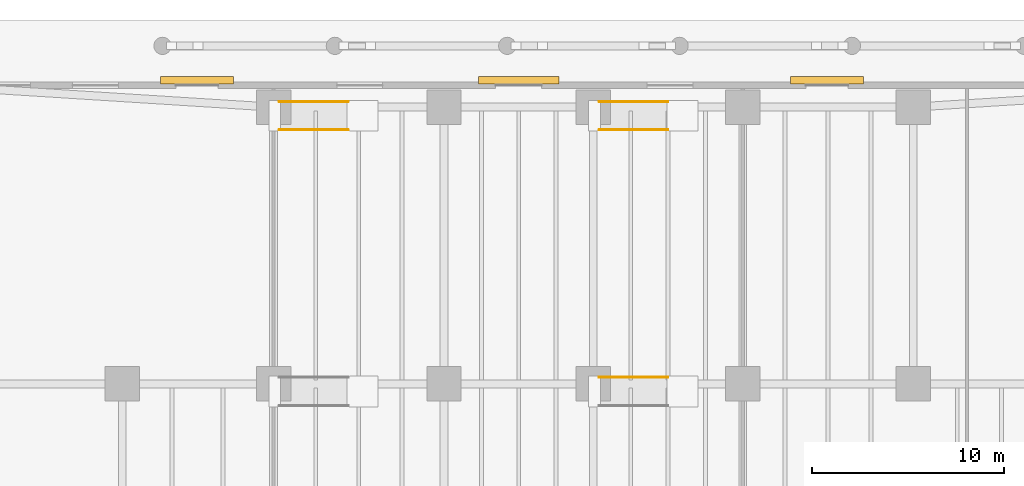
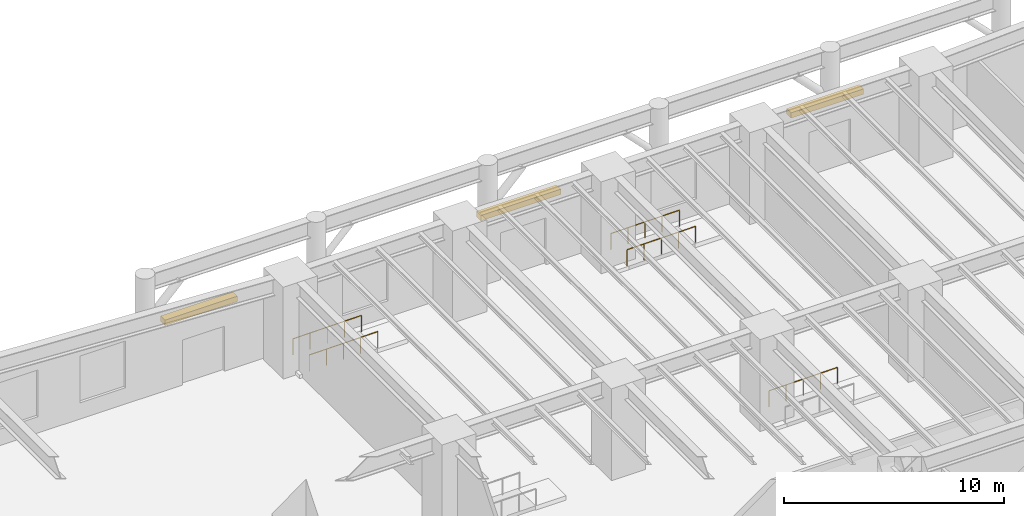
# One storey, part 18 of 19: 5 railings, 3 shading devices.
"""IFC4 building model written with IfcOpenShell, lengths in metres."""

import ifcopenshell
import ifcopenshell.guid

model = None  # the IFC model being written
_history = None  # IfcOwnerHistory: only IFC2X3 demands one
_inside = {}  # id of a spatial element -> (the spatial element, [elements in it])
_under = {}  # id of a project, library or spatial element -> (it, [spatial elements below it])
_declared = {}  # id of a project -> (the project, [libraries it declares])
_typed = {}  # id of a type object -> (the type object, [elements of that type])
_made_of = {}  # id of a material, layer set ... -> (it, [elements and type objects made of it])


def new_model(schema):
    """Start an empty IFC model of exactly this schema.

    Asked for "IFC4X3", IfcOpenShell would pick the latest addendum, in which some entities
    have other attributes; the version numbers below select the first issue.
    IFC2X3 requires an IfcOwnerHistory on every rooted entity: one is made here for all.
    """
    global model, _history
    if schema == "IFC4X3":
        model = ifcopenshell.file(schema_version=(4, 3, 0, 0))
    else:
        model = ifcopenshell.file(schema=schema)
    _inside.clear()
    _under.clear()
    _declared.clear()
    _typed.clear()
    _made_of.clear()
    _history = None
    if model.schema == "IFC2X3":
        org = make("IfcOrganization", Name="unknown")
        user = make(
            "IfcPersonAndOrganization",
            ThePerson=make("IfcPerson", FamilyName="unknown"),
            TheOrganization=org,
        )
        app = make(
            "IfcApplication",
            ApplicationDeveloper=org,
            Version="unknown",
            ApplicationFullName="unknown",
            ApplicationIdentifier="unknown",
        )
        _history = make(
            "IfcOwnerHistory",
            OwningUser=user,
            OwningApplication=app,
            ChangeAction="ADDED",
            CreationDate=0,
        )
    return model


def make(cls, **values):
    """One entity of the class cls with the attributes given. An attribute that is None is left unset."""
    return model.create_entity(
        cls, **{name: value for name, value in values.items() if value is not None}
    )


def rooted(cls, **values):
    """An entity with a GlobalId (a new one), such as an element, a storey or a relation."""
    return make(cls, GlobalId=ifcopenshell.guid.new(), OwnerHistory=_history, **values)


def si_unit(unit_type, name, prefix=None):
    """IfcSIUnit, for example si_unit("LENGTHUNIT", "METRE", prefix="MILLI")."""
    return make("IfcSIUnit", UnitType=unit_type, Prefix=prefix, Name=name)


def assignment(units):
    """IfcUnitAssignment: the units of a project."""
    return None if units is None else make("IfcUnitAssignment", Units=units)


def point(xyz):
    """IfcCartesianPoint."""
    return None if xyz is None else make("IfcCartesianPoint", Coordinates=xyz)


def direction(xyz):
    """IfcDirection."""
    return None if xyz is None else make("IfcDirection", DirectionRatios=xyz)


def frame(location, z_axis=None, x_axis=None):
    """IfcAxis2Placement3D, a coordinate frame: its origin and axes. An axis left out is left unset."""
    return make(
        "IfcAxis2Placement3D",
        Location=point(location),
        Axis=direction(z_axis),
        RefDirection=direction(x_axis),
    )


def frame_2d(location, x_axis=None):
    """IfcAxis2Placement2D, a coordinate frame in the plane: its origin and x axis."""
    return make(
        "IfcAxis2Placement2D", Location=point(location), RefDirection=direction(x_axis)
    )


def origin():
    """The frame at (0, 0, 0) with its axes left unset."""
    return frame((0.0, 0.0, 0.0))


def origin_2d():
    """The frame at (0, 0) in the plane with its x axis left unset."""
    return frame_2d((0.0, 0.0))


def place(relative_to, where):
    """IfcLocalPlacement: puts the frame where relative to a parent placement (None: the world)."""
    return make(
        "IfcLocalPlacement", PlacementRelTo=relative_to, RelativePlacement=where
    )


def context(
    kind, dimensions, precision=None, world=None, true_north=None, identifier=None
):
    """IfcGeometricRepresentationContext, for example the 3D "Model" context."""
    return make(
        "IfcGeometricRepresentationContext",
        ContextIdentifier=identifier,
        ContextType=kind,
        CoordinateSpaceDimension=dimensions,
        Precision=precision,
        WorldCoordinateSystem=world,
        TrueNorth=true_north,
    )


def subcontext(parent, identifier, kind, view, scale=None):
    """IfcGeometricRepresentationSubContext, for example "Body" below "Model"."""
    return make(
        "IfcGeometricRepresentationSubContext",
        ContextIdentifier=identifier,
        ContextType=kind,
        ParentContext=parent,
        TargetScale=scale,
        TargetView=view,
    )


def project(units=None, contexts=None):
    """IfcProject with its units and contexts."""
    return rooted(
        "IfcProject",
        Name="project",
        RepresentationContexts=contexts,
        UnitsInContext=assignment(units),
    )


def spatial(cls, under=None, at=None, **own):
    """A site, building, storey or space (cls), placed at a placement, below another one or the project."""
    s = rooted(cls, ObjectPlacement=at, **own)
    if under is not None:
        _under.setdefault(under.id(), (under, []))[1].append(s)
    return s


def polyline(points):
    """IfcPolyline through the points."""
    return make("IfcPolyline", Points=[point(p) for p in points])


def profile(cls, at=None, kind="AREA", **sizes):
    """A parametric profile (cls). Its sizes go by their IFC names, for example OverallWidth=200.0."""
    return make(cls, ProfileType=kind, Position=at, **sizes)


def circle(**sizes):
    """IfcCircleProfileDef."""
    return profile("IfcCircleProfileDef", **sizes)


def outline(outer, holes=None, kind="AREA"):
    """IfcArbitraryClosedProfileDef: a profile drawn as a closed curve; with holes, ...WithVoids."""
    if holes is None:
        return make("IfcArbitraryClosedProfileDef", ProfileType=kind, OuterCurve=outer)
    return make(
        "IfcArbitraryProfileDefWithVoids",
        ProfileType=kind,
        OuterCurve=outer,
        InnerCurves=holes,
    )


def extrude(swept, where, along, depth):
    """IfcExtrudedAreaSolid: the profile swept, set in the frame where, extruded along a direction by depth."""
    return make(
        "IfcExtrudedAreaSolid",
        SweptArea=swept,
        Position=where,
        ExtrudedDirection=direction(along),
        Depth=depth,
    )


def shape(context_of_items, identifier, shape_type, items):
    """IfcShapeRepresentation: the items that make up one representation, for example the "Body"."""
    return make(
        "IfcShapeRepresentation",
        ContextOfItems=context_of_items,
        RepresentationIdentifier=identifier,
        RepresentationType=shape_type,
        Items=items,
    )


def material(Name=None, Category=None):
    """IfcMaterial."""
    return make("IfcMaterial", Name=Name, Category=Category)


def layer(
    of_material, thickness, ventilated=None, Name=None, Category=None, Priority=None
):
    """IfcMaterialLayer: one layer of a wall or slab, of a material (None: an air gap)."""
    return make(
        "IfcMaterialLayer",
        Material=of_material,
        LayerThickness=thickness,
        IsVentilated=ventilated,
        Name=Name,
        Category=Category,
        Priority=Priority,
    )


def layer_set(layers, Name=None):
    """IfcMaterialLayerSet."""
    return make("IfcMaterialLayerSet", MaterialLayers=layers, LayerSetName=Name)


def made_of(thing, what):
    """Note that an element or type object is made of a material, layer set ...; save() writes the relation."""
    if what is not None:
        _made_of.setdefault(what.id(), (what, []))[1].append(thing)
    return thing


def type_object(cls, material=None, **own):
    """A type object (cls), such as IfcWallType, which elements share."""
    return made_of(rooted(cls, **own), material)


def element(
    cls,
    number,
    at=None,
    inside=None,
    cuts=None,
    type_object=None,
    material=None,
    context=None,
    identifier="Body",
    shape_type=None,
    held_by="IfcProductDefinitionShape",
    body=None,
    shapes=None,
    **own,
):
    """One element of the class cls, such as IfcWall. Its Tag is "e" and its number.

    at: its placement. inside: the storey or other place that contains it. cuts: it is an
    opening in that element (IfcRelVoidsElement). A single representation is given by context,
    identifier, shape_type and body (its items); several are given by shapes. held_by: the class
    of the entity that holds the representations. save() writes the other relations.
    """
    e = rooted(cls, Tag="e%d" % number, ObjectPlacement=at, **own)
    if body is not None:
        shapes = [shape(context, identifier, shape_type, body)]
    if shapes is not None:
        e.Representation = make(held_by, Representations=shapes)
    if inside is not None:
        _inside.setdefault(inside.id(), (inside, []))[1].append(e)
    if cuts is not None:
        rooted(
            "IfcRelVoidsElement", RelatingBuildingElement=cuts, RelatedOpeningElement=e
        )
    if type_object is not None:
        _typed.setdefault(type_object.id(), (type_object, []))[1].append(e)
    return made_of(e, material)


def aggregate(whole, parts):
    """IfcRelAggregates: a whole, such as a stair, and the parts it consists of."""
    return rooted("IfcRelAggregates", RelatingObject=whole, RelatedObjects=parts)


def save(model, path):
    """Write the relations noted so far, then the file.

    IfcRelAggregates (storeys below a building ...), IfcRelContainedInSpatialStructure (elements
    in a storey), IfcRelDefinesByType, IfcRelAssociatesMaterial and IfcRelDeclares: one each for
    every whole, place, type object, material and project.
    """
    for whole, parts in _under.values():
        aggregate(whole, parts)
    for where, things in _inside.values():
        rooted(
            "IfcRelContainedInSpatialStructure",
            RelatedElements=things,
            RelatingStructure=where,
        )
    for kind, things in _typed.values():
        rooted("IfcRelDefinesByType", RelatedObjects=things, RelatingType=kind)
    for what, things in _made_of.values():
        rooted("IfcRelAssociatesMaterial", RelatedObjects=things, RelatingMaterial=what)
    for by, libraries in _declared.values():
        rooted("IfcRelDeclares", RelatingContext=by, RelatedDefinitions=libraries)
    model.write(path)


model = new_model("IFC4")

# Units and contexts
model_context = context("Model", 3, precision=1e-05, world=origin(), true_north=direction((0.0, 1.0)))
body_context = subcontext(model_context, "Body", "Model", "MODEL_VIEW")
ifc_project = project(units=[si_unit("LENGTHUNIT", "METRE"), si_unit("AREAUNIT", "SQUARE_METRE"), si_unit("VOLUMEUNIT", "CUBIC_METRE"), si_unit("PLANEANGLEUNIT", "RADIAN"), si_unit("MASSUNIT", "GRAM", prefix="KILO")], contexts=[model_context])

# Site, building, storey
site_placement = place(None, origin())
site = spatial("IfcSite", under=ifc_project, at=site_placement, CompositionType="ELEMENT")
building_placement = place(site_placement, origin())
building = spatial("IfcBuilding", under=site, at=building_placement, Name="Qalmaran Belvedere Hotel", CompositionType="ELEMENT")
storey_placement = place(building_placement, origin())
storey = spatial("IfcBuildingStorey", under=building, at=storey_placement, Name="L00", CompositionType="ELEMENT", Elevation=0.0)

# Shading devices
ifc_material = material(Name="Anodised Bronze Aluminium", Category="aluminium")
ifc_layer = layer(ifc_material, 0.300048828125, Name="Anodised Bronze Aluminium")
ifc_layer_set = layer_set([ifc_layer], Name="Anodised Bronze Aluminium")
shading_device_type = type_object("IfcShadingDeviceType", Name="CNPY-BRNZ-320", PredefinedType="USERDEFINED", material=ifc_layer_set)
shading_device_1_placement = place(storey_placement, frame((0.0, 0.0, 3.449951171875)))
element("IfcShadingDevice", 1, at=shading_device_1_placement, inside=storey, type_object=shading_device_type, Name="L00 Entrance Canopy 1", ObjectType="CANOPY", PredefinedType="USERDEFINED", context=body_context, shape_type="SweptSolid", body=[
    extrude(outline(polyline([(14.39990234375, 48.64990234375), (18.199951171875, 48.64990234375), (18.199951171875, 49.050048828125), (14.39990234375, 49.050048828125), (14.39990234375, 48.64990234375)])), origin(), (0.0, 0.0, 1.0), 0.300048828125),
])
shading_device_2_placement = place(storey_placement, frame((0.0, 0.0, 3.449951171875)))
element("IfcShadingDevice", 2, at=shading_device_2_placement, inside=storey, type_object=shading_device_type, Name="L00 Entrance Canopy 2", ObjectType="CANOPY", PredefinedType="USERDEFINED", context=body_context, shape_type="SweptSolid", body=[
    extrude(outline(polyline([(31.0, 48.64990234375), (35.199951171875, 48.64990234375), (35.199951171875, 49.050048828125), (31.0, 49.050048828125), (31.0, 48.64990234375)])), origin(), (0.0, 0.0, 1.0), 0.300048828125),
])
shading_device_3_placement = place(storey_placement, frame((0.0, 0.0, 3.449951171875)))
element("IfcShadingDevice", 3, at=shading_device_3_placement, inside=storey, type_object=shading_device_type, Name="L00 Entrance Canopy 3", ObjectType="CANOPY", PredefinedType="USERDEFINED", context=body_context, shape_type="SweptSolid", body=[
    extrude(outline(polyline([(47.300048828125, 48.64990234375), (51.10009765625, 48.64990234375), (51.10009765625, 49.050048828125), (47.300048828125, 49.050048828125), (47.300048828125, 48.64990234375)])), origin(), (0.0, 0.0, 1.0), 0.300048828125),
])

# Railings
railing_type = type_object("IfcRailingType", Name="RLG-RAMP-HAND-920", PredefinedType="HANDRAIL", material=ifc_material)
for number, where, name in (
    (4, (37.300048828125, 33.340087890625, 0.199951171875), "L00 Ramp Handrail N"),
    (5, (20.60009765625, 46.260009765625, 0.199951171875), "L00 Ramp Handrail S"),
    (6, (20.60009765625, 47.739990234375, 0.199951171875), "L00 Ramp Handrail N"),
    (7, (37.300048828125, 46.260009765625, 0.199951171875), "L00 Ramp Handrail S"),
    (8, (37.300048828125, 47.739990234375, 0.199951171875), "L00 Ramp Handrail N"),
):
    element("IfcRailing", number, at=place(storey_placement, frame(where)), inside=storey, type_object=railing_type, Name=name, PredefinedType="HANDRAIL", context=body_context, shape_type="SweptSolid", body=[
        extrude(circle(Radius=0.02392578125, at=origin_2d()), frame((0.0, 0.0, 0.89599609375), z_axis=(0.999938151687, 0.0, 0.011121726475), x_axis=(0.0, 1.0, 0.0)), (0.0, 0.0, 1.0), 3.60009765625),
        extrude(circle(Radius=0.02099609375, at=origin_2d()), origin(), (0.0, 0.0, 1.0), 0.871826171875),
        extrude(circle(Radius=0.02099609375, at=origin_2d()), frame((0.89990234375, 0.0, 0.010009765625)), (0.0, 0.0, 1.0), 0.871826171875),
        extrude(circle(Radius=0.02099609375, at=origin_2d()), frame((1.7998046875, 0.0, 0.02001953125)), (0.0, 0.0, 1.0), 0.871826171875),
        extrude(circle(Radius=0.02099609375, at=origin_2d()), frame((2.699951171875, 0.0, 0.030029296875)), (0.0, 0.0, 1.0), 0.871826171875),
        extrude(circle(Radius=0.02099609375, at=origin_2d()), frame((3.599853515625, 0.0, 0.0400390625)), (0.0, 0.0, 1.0), 0.871826171875),
    ])

save(model, "model.ifc")
